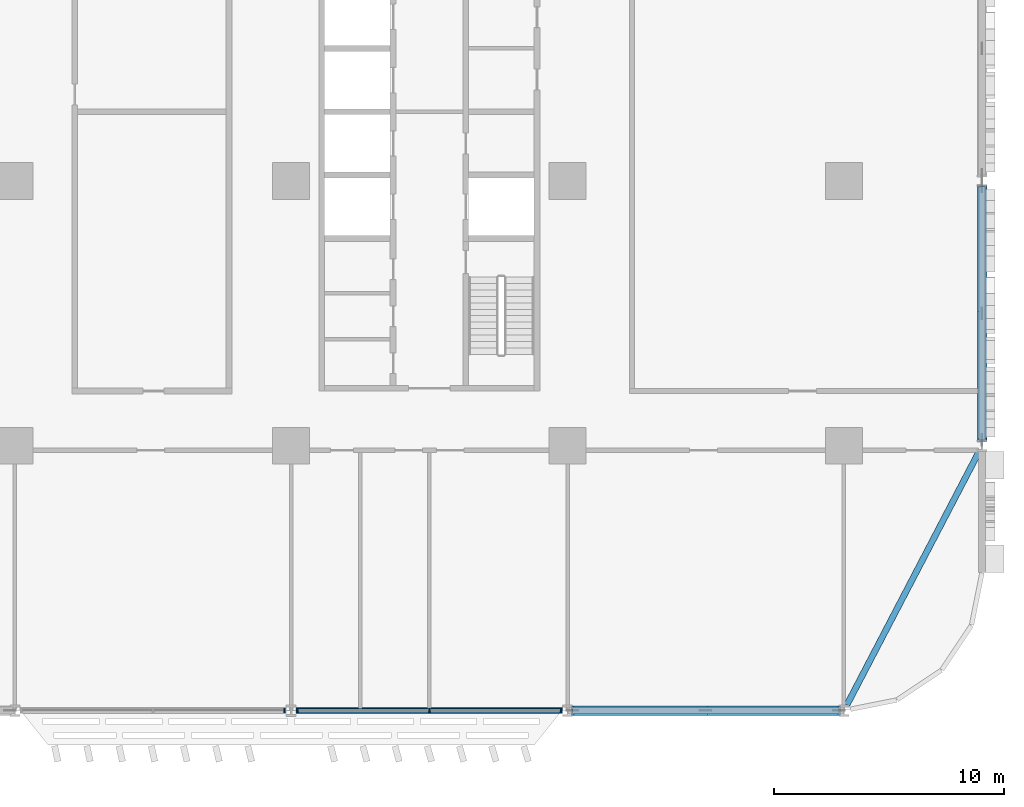
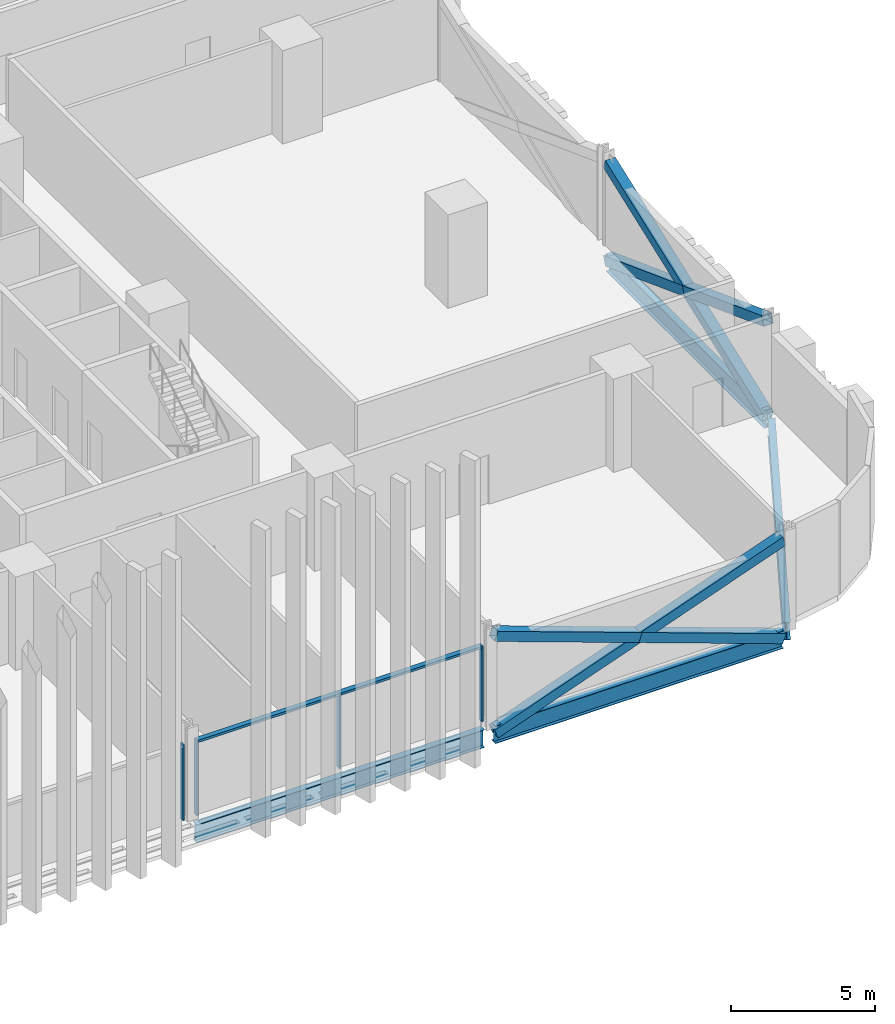
# One storey, part 7 of 29: 12 members, 4 beams, 2 elements without a shape of their own.
"""IFC4 building model written with IfcOpenShell, lengths in metres."""

from ifc_helpers import new_model, si_unit, direction, frame, origin, origin_2d, place, context, subcontext, project, spatial, rectangle, hollow_rectangle, i_section, extrude, material, material_profile, profile_set, type_object, element, aggregate, save


model = new_model("IFC4")

# Units and contexts
model_context = context("Model", 3, precision=1e-05, world=origin(), true_north=direction((0.0, 1.0)))
body_context = subcontext(model_context, "Body", "Model", "MODEL_VIEW")
ifc_project = project(units=[si_unit("LENGTHUNIT", "METRE"), si_unit("AREAUNIT", "SQUARE_METRE"), si_unit("VOLUMEUNIT", "CUBIC_METRE"), si_unit("PLANEANGLEUNIT", "RADIAN"), si_unit("MASSUNIT", "GRAM", prefix="KILO")], contexts=[model_context])

# Site, building, storey
site_placement = place(None, origin())
site = spatial("IfcSite", under=ifc_project, at=site_placement, CompositionType="ELEMENT")
building_placement = place(site_placement, origin())
building = spatial("IfcBuilding", under=site, at=building_placement, Name="Mahtab Terrace Research Tower", CompositionType="ELEMENT")
storey_placement = place(building_placement, frame((0.0, 0.0, 24.39990234375)))
storey = spatial("IfcBuildingStorey", under=building, at=storey_placement, Name="L05", CompositionType="ELEMENT", Elevation=24.39990234375)

# Members
ifc_material_1 = material(Name="Steel ASTM A500 Gr C", Category="steel")
ifc_material_profile_1 = material_profile(ifc_material_1, hollow_rectangle(XDim=0.406494140625, YDim=0.406494140625, WallThickness=0.01904296875, at=origin_2d()), Name="HSS16X16X3/4")
ifc_profile_set_1 = profile_set([ifc_material_profile_1], Name="Steel ASTM A500 Gr C")
member_type_1 = type_object("IfcMemberType", Name="HSS 16x16x3/4 brace XB161634", PredefinedType="BRACE", material=ifc_profile_set_1)
member_1_placement = place(storey_placement, frame((30.2158203125, -23.0, -0.640869140625), z_axis=(0.941388097231, 0.0, 0.337325436917), x_axis=(0.0, 1.0, 0.0)))
element("IfcMember", 1, at=member_1_placement, inside=storey, type_object=member_type_1, Name="Exoskeleton brace L05 18 a", PredefinedType="BRACE", context=body_context, shape_type="SweptSolid", body=[
    extrude(hollow_rectangle(XDim=0.406494140625, YDim=0.406494140625, WallThickness=0.01904296875, at=origin_2d()), origin(), (0.0, 0.0, 1.0), 12.28857421875),
])
for number, where, z_axis, x_axis, name in (
    (2, (41.7841796875, -23.0, -0.640869140625), (-0.941394406025, 0.0, 0.337307830185), (0.0, -1.0, 0.0), "Exoskeleton brace L05 18 b1"),
    (3, (36.0, -23.0, 1.431640625), (-0.941381788192, 0.0, 0.337343043295), (0.0, -1.0, 0.0), "Exoskeleton brace L05 18 b2"),
):
    element("IfcMember", number, at=place(storey_placement, frame(where, z_axis=z_axis, x_axis=x_axis)), inside=storey, type_object=member_type_1, Name=name, PredefinedType="BRACE", context=body_context, shape_type="SweptSolid", body=[
        extrude(hollow_rectangle(XDim=0.406494140625, YDim=0.406494140625, WallThickness=0.01904296875, at=origin_2d()), origin(), (0.0, 0.0, 1.0), 6.144287109375),
    ])
member_2_placement = place(storey_placement, frame((48.0, -11.251220703125, -0.625244140625), z_axis=(0.0, 0.936668691391, 0.350216736563), x_axis=(-1.0, 0.0, 0.0)))
element("IfcMember", 4, at=member_2_placement, inside=storey, type_object=member_type_1, Name="Exoskeleton brace L05 20 a", PredefinedType="BRACE", context=body_context, shape_type="SweptSolid", body=[
    extrude(hollow_rectangle(XDim=0.406494140625, YDim=0.406494140625, WallThickness=0.01904296875, at=origin_2d()), origin(), (0.0, 0.0, 1.0), 11.746337890625),
])
for number, where, z_axis, x_axis, name in (
    (5, (48.0, -0.248779296875, -0.625244140625), (0.0, -0.936668691391, 0.350216736563), (1.0, 0.0, 0.0), "Exoskeleton brace L05 20 b1"),
    (6, (48.0, -5.75, 1.431640625), (0.0, -0.936668691391, 0.350216736563), (1.0, 0.0, 0.0), "Exoskeleton brace L05 20 b2"),
):
    element("IfcMember", number, at=place(storey_placement, frame(where, z_axis=z_axis, x_axis=x_axis)), inside=storey, type_object=member_type_1, Name=name, PredefinedType="BRACE", context=body_context, shape_type="SweptSolid", body=[
        extrude(hollow_rectangle(XDim=0.406494140625, YDim=0.406494140625, WallThickness=0.01904296875, at=origin_2d()), origin(), (0.0, 0.0, 1.0), 5.873291015625),
    ])

# Curtain wall, member
ifc_material_2 = material(Name="Laboratory ribbon curtain wall")
curtain_wall_type = type_object("IfcCurtainWallType", Name="Laboratory ribbon curtain wall", PredefinedType="NOTDEFINED", material=ifc_material_2)
curtain_wall_1_placement = place(storey_placement, origin())
curtain_wall_1 = element("IfcCurtainWall", 7, at=curtain_wall_1_placement, inside=storey, type_object=curtain_wall_type, Name="EN.L05.13.26", PredefinedType="NOTDEFINED")
ifc_material_3 = material(Name="Natural anodised aluminium", Category="aluminium")
ifc_material_profile_2 = material_profile(ifc_material_3, rectangle(XDim=0.199951171875, YDim=0.06494140625, at=origin_2d()), Name="MULLION 65x200")
ifc_profile_set_2 = profile_set([ifc_material_profile_2], Name="Natural anodised aluminium")
member_type_2 = type_object("IfcMemberType", Name="Laboratory ribbon curtain wall mullion", PredefinedType="MULLION", material=ifc_profile_set_2)
member_3_placement = place(storey_placement, frame((17.718505859375, -23.0, 0.0), z_axis=(0.0, 0.0, 1.0), x_axis=(0.0, 1.0, 0.0)))
member_3 = element("IfcMember", 8, at=member_3_placement, type_object=member_type_2, Name="CWL-1 mullion 3", PredefinedType="MULLION", context=body_context, shape_type="SweptSolid", body=[
    extrude(rectangle(XDim=0.199951171875, YDim=0.06494140625, at=origin_2d()), origin(), (0.0, 0.0, 1.0), 3.203125),
])
aggregate(curtain_wall_1, [member_3])

# Curtain wall, members
curtain_wall_2_placement = place(storey_placement, origin())
curtain_wall_2 = element("IfcCurtainWall", 9, at=curtain_wall_2_placement, inside=storey, type_object=curtain_wall_type, Name="EN.L05.13.27", PredefinedType="NOTDEFINED")
member_4_placement = place(storey_placement, frame((18.281494140625, -23.0, 0.0), z_axis=(0.0, 0.0, 1.0), x_axis=(0.0, 1.0, 0.0)))
member_4 = element("IfcMember", 10, at=member_4_placement, type_object=member_type_2, Name="CWL-1 mullion 1", PredefinedType="MULLION", context=body_context, shape_type="SweptSolid", body=[
    extrude(rectangle(XDim=0.199951171875, YDim=0.06494140625, at=origin_2d()), origin(), (0.0, 0.0, 1.0), 3.203125),
])
member_5_placement = place(storey_placement, frame((24.0, -23.0, 0.0), z_axis=(0.0, 0.0, 1.0), x_axis=(0.0, 1.0, 0.0)))
member_5 = element("IfcMember", 11, at=member_5_placement, type_object=member_type_2, Name="CWL-1 mullion 2", PredefinedType="MULLION", context=body_context, shape_type="SweptSolid", body=[
    extrude(rectangle(XDim=0.199951171875, YDim=0.06494140625, at=origin_2d()), origin(), (0.0, 0.0, 1.0), 3.203125),
])
member_6_placement = place(storey_placement, frame((29.718505859375, -23.0, 0.0), z_axis=(0.0, 0.0, 1.0), x_axis=(0.0, 1.0, 0.0)))
member_6 = element("IfcMember", 12, at=member_6_placement, type_object=member_type_2, Name="CWL-1 mullion 3", PredefinedType="MULLION", context=body_context, shape_type="SweptSolid", body=[
    extrude(rectangle(XDim=0.199951171875, YDim=0.06494140625, at=origin_2d()), origin(), (0.0, 0.0, 1.0), 3.203125),
])
ifc_material_profile_3 = material_profile(ifc_material_3, rectangle(XDim=0.199951171875, YDim=0.10009765625, at=origin_2d()), Name="TRANSOM 100x200")
ifc_profile_set_3 = profile_set([ifc_material_profile_3], Name="Natural anodised aluminium")
member_type_3 = type_object("IfcMemberType", Name="Laboratory ribbon curtain wall transom", PredefinedType="USERDEFINED", material=ifc_profile_set_3)
member_7_placement = place(storey_placement, frame((18.31396484375, -23.0, 3.153076171875), z_axis=(1.0, 0.0, 0.0), x_axis=(0.0, 1.0, 0.0)))
member_7 = element("IfcMember", 13, at=member_7_placement, type_object=member_type_3, Name="CWL-1 transom 1", ObjectType="TRANSOM", PredefinedType="USERDEFINED", context=body_context, shape_type="SweptSolid", body=[
    extrude(rectangle(XDim=0.199951171875, YDim=0.10009765625, at=origin_2d()), origin(), (0.0, 0.0, 1.0), 5.653564453125),
])
member_8_placement = place(storey_placement, frame((24.032470703125, -23.0, 3.153076171875), z_axis=(1.0, 0.0, 0.0), x_axis=(0.0, 1.0, 0.0)))
member_8 = element("IfcMember", 14, at=member_8_placement, type_object=member_type_3, Name="CWL-1 transom 2", ObjectType="TRANSOM", PredefinedType="USERDEFINED", context=body_context, shape_type="SweptSolid", body=[
    extrude(rectangle(XDim=0.199951171875, YDim=0.10009765625, at=origin_2d()), origin(), (0.0, 0.0, 1.0), 5.653564453125),
])
aggregate(curtain_wall_2, [member_4, member_5, member_6, member_7, member_8])

# Beams
ifc_material_4 = material(Name="Steel ASTM A992 Gr 50", Category="steel")
ifc_material_profile_4 = material_profile(ifc_material_4, i_section(OverallWidth=0.2666015625, OverallDepth=0.7568359375, WebThickness=0.013916015625, FlangeThickness=0.019287109375, at=origin_2d()), Name="W30X108")
ifc_profile_set_4 = profile_set([ifc_material_profile_4], Name="Steel ASTM A992 Gr 50")
beam_type = type_object("IfcBeamType", Name="W30x108 beam BS30108", PredefinedType="BEAM", material=ifc_profile_set_4)
for number, where, z_axis, x_axis, name in (
    (15, (18.2158203125, -23.0, -0.71826171875), (1.0, 0.0, 0.0), (0.0, 1.0, 0.0), "Spandrel beam L05 17"),
    (16, (30.2158203125, -23.0, -0.71826171875), (1.0, 0.0, 0.0), (0.0, 1.0, 0.0), "Spandrel beam L05 18"),
):
    element("IfcBeam", number, at=place(storey_placement, frame(where, z_axis=z_axis, x_axis=x_axis)), inside=storey, type_object=beam_type, Name=name, PredefinedType="BEAM", context=body_context, shape_type="SweptSolid", body=[
        extrude(i_section(OverallWidth=0.2666015625, OverallDepth=0.7568359375, WebThickness=0.013916015625, FlangeThickness=0.019287109375, at=origin_2d()), origin(), (0.0, 0.0, 1.0), 11.568359375),
    ])
beam_1_placement = place(storey_placement, frame((42.1298828125, -22.751220703125, -0.71826171875), z_axis=(0.462555249274, 0.88659045865, 0.0), x_axis=(-0.88659045865, 0.462555249274, 0.0)))
element("IfcBeam", 17, at=beam_1_placement, inside=storey, type_object=beam_type, Name="Spandrel beam L05 19", PredefinedType="BEAM", context=body_context, shape_type="SweptSolid", body=[
    extrude(i_section(OverallWidth=0.2666015625, OverallDepth=0.7568359375, WebThickness=0.013916015625, FlangeThickness=0.019287109375, at=origin_2d()), origin(), (0.0, 0.0, 1.0), 12.409912109375),
])
beam_2_placement = place(storey_placement, frame((48.0, -11.251220703125, -0.71826171875), z_axis=(0.0, 1.0, 0.0), x_axis=(-1.0, 0.0, 0.0)))
element("IfcBeam", 18, at=beam_2_placement, inside=storey, type_object=beam_type, Name="Spandrel beam L05 20", PredefinedType="BEAM", context=body_context, shape_type="SweptSolid", body=[
    extrude(i_section(OverallWidth=0.2666015625, OverallDepth=0.7568359375, WebThickness=0.013916015625, FlangeThickness=0.019287109375, at=origin_2d()), origin(), (0.0, 0.0, 1.0), 11.00244140625),
])

save(model, "model.ifc")
